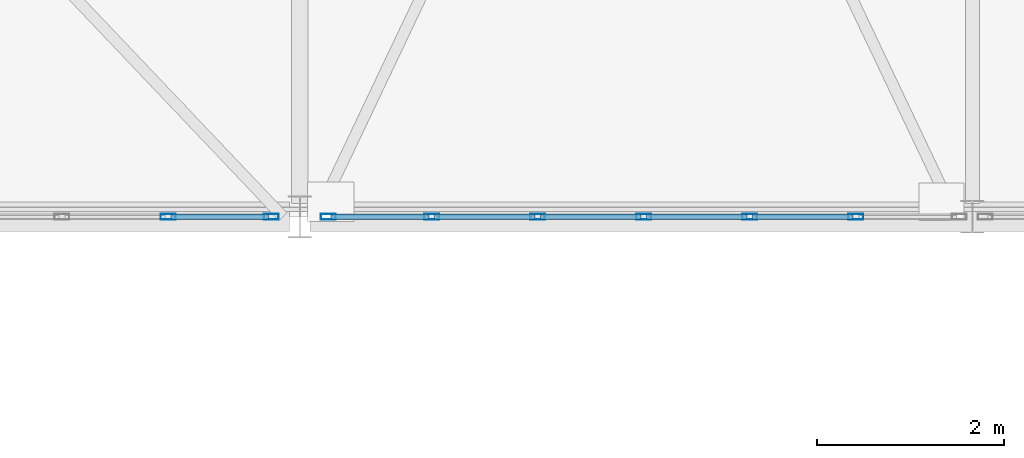
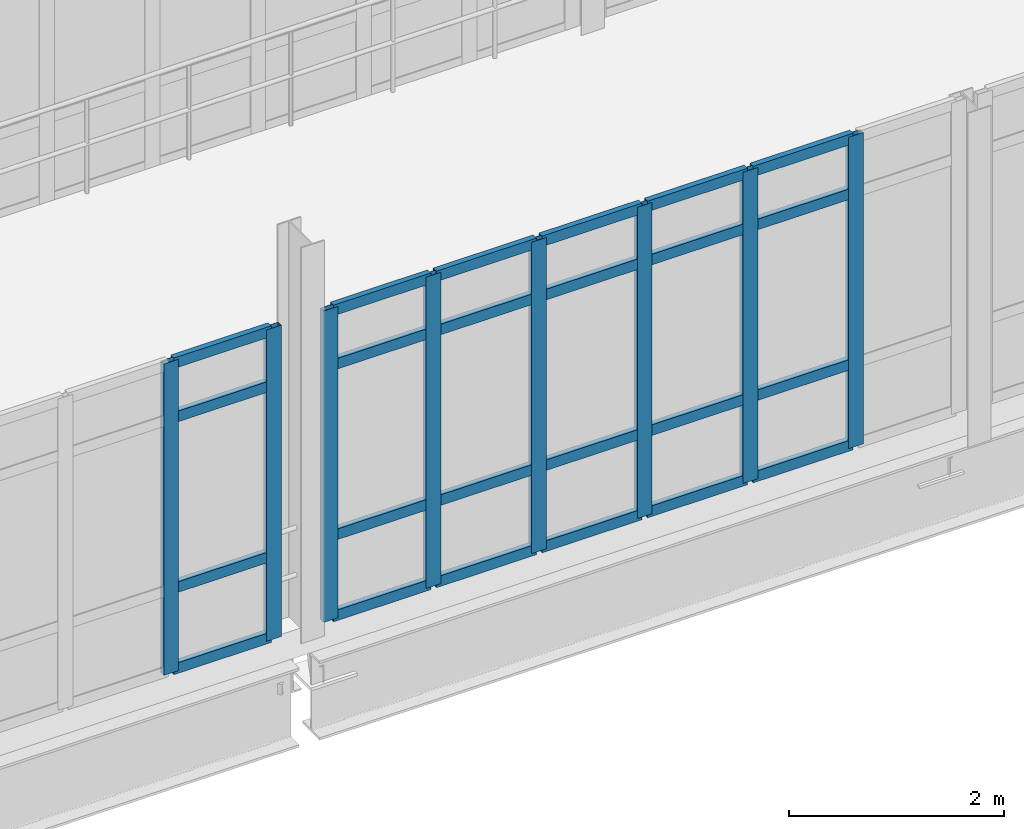
# One storey, part 41 of 124: 32 members, 2 elements without a shape of their own.
"""IFC4 building model written with IfcOpenShell, lengths in metres."""

from ifc_helpers import new_model, si_unit, direction, frame, origin, origin_2d, place, context, subcontext, project, spatial, hollow_rectangle, extrude, material, material_profile, profile_set, type_object, element, aggregate, save


model = new_model("IFC4")

# Units and contexts
model_context = context("Model", 3, precision=1e-05, world=origin(), true_north=direction((0.0, 1.0)))
body_context = subcontext(model_context, "Body", "Model", "MODEL_VIEW")
ifc_project = project(units=[si_unit("LENGTHUNIT", "METRE"), si_unit("AREAUNIT", "SQUARE_METRE"), si_unit("VOLUMEUNIT", "CUBIC_METRE"), si_unit("PLANEANGLEUNIT", "RADIAN"), si_unit("MASSUNIT", "GRAM", prefix="KILO")], contexts=[model_context])

# Site, building, storey
site_placement = place(None, origin())
site = spatial("IfcSite", under=ifc_project, at=site_placement, CompositionType="ELEMENT")
building_placement = place(site_placement, origin())
building = spatial("IfcBuilding", under=site, at=building_placement, Name="Kalluvel Institute of Natural Sciences", CompositionType="ELEMENT")
storey_placement = place(building_placement, frame((0.0, 0.0, 9.89990234375)))
storey = spatial("IfcBuildingStorey", under=building, at=storey_placement, Name="L02", CompositionType="ELEMENT", Elevation=9.89990234375)

# Curtain wall, members
ifc_material = material(Name="Aluminium AW-6063 T6", Category="aluminium")
curtain_wall_type = type_object("IfcCurtainWallType", Name="CW-BRG-45", PredefinedType="USERDEFINED", material=ifc_material)
curtain_wall_1_placement = place(storey_placement, origin())
curtain_wall_1 = element("IfcCurtainWall", 1, at=curtain_wall_1_placement, inside=storey, type_object=curtain_wall_type, Name="L02 Gothic lancet curtain wall CWA-L02-X717-Y284", ObjectType="UNITISED LANCET FACADE", PredefinedType="USERDEFINED")
ifc_material_profile_1 = material_profile(ifc_material, hollow_rectangle(XDim=0.06005859375, YDim=0.159912109375, WallThickness=0.00390625, at=origin_2d()), Name="CWM 60x160")
ifc_profile_set_1 = profile_set([ifc_material_profile_1], Name="Aluminium AW-6063 T6")
member_type_1 = type_object("IfcMemberType", Name="CWM-60x160", PredefinedType="MULLION", material=ifc_profile_set_1)
member_1_placement = place(storey_placement, frame((77.38916015625, 28.39990234375, 0.0), z_axis=(0.0, 0.0, 1.0), x_axis=(0.0, 1.0, 0.0)))
member_1 = element("IfcMember", 2, at=member_1_placement, type_object=member_type_1, Name="CW-07 mullion 6", PredefinedType="MULLION", context=body_context, shape_type="SweptSolid", body=[
    extrude(hollow_rectangle(XDim=0.06005859375, YDim=0.159912109375, WallThickness=0.00390625, at=origin_2d()), origin(), (0.0, 0.0, 1.0), 3.5400390625),
])
member_2_placement = place(storey_placement, frame((78.4951171875, 28.39990234375, 0.0), z_axis=(0.0, 0.0, 1.0), x_axis=(0.0, 1.0, 0.0)))
member_2 = element("IfcMember", 3, at=member_2_placement, type_object=member_type_1, Name="CW-07 mullion 7", PredefinedType="MULLION", context=body_context, shape_type="SweptSolid", body=[
    extrude(hollow_rectangle(XDim=0.06005859375, YDim=0.159912109375, WallThickness=0.00390625, at=origin_2d()), origin(), (0.0, 0.0, 1.0), 3.5400390625),
])

curtain_wall_2_placement = place(storey_placement, origin())
curtain_wall_2 = element("IfcCurtainWall", 4, at=curtain_wall_2_placement, inside=storey, type_object=curtain_wall_type, Name="L02 Gothic lancet curtain wall CWA-L02-X791-Y284", ObjectType="UNITISED LANCET FACADE", PredefinedType="USERDEFINED")
member_3_placement = place(storey_placement, frame((79.10498046875, 28.39990234375, 0.0), z_axis=(0.0, 0.0, 1.0), x_axis=(0.0, 1.0, 0.0)))
member_3 = element("IfcMember", 5, at=member_3_placement, type_object=member_type_1, Name="CW-07 mullion 1", PredefinedType="MULLION", context=body_context, shape_type="SweptSolid", body=[
    extrude(hollow_rectangle(XDim=0.06005859375, YDim=0.159912109375, WallThickness=0.00390625, at=origin_2d()), origin(), (0.0, 0.0, 1.0), 3.5400390625),
])
member_4_placement = place(storey_placement, frame((80.2109375, 28.39990234375, 0.0), z_axis=(0.0, 0.0, 1.0), x_axis=(0.0, 1.0, 0.0)))
member_4 = element("IfcMember", 6, at=member_4_placement, type_object=member_type_1, Name="CW-07 mullion 2", PredefinedType="MULLION", context=body_context, shape_type="SweptSolid", body=[
    extrude(hollow_rectangle(XDim=0.06005859375, YDim=0.159912109375, WallThickness=0.00390625, at=origin_2d()), origin(), (0.0, 0.0, 1.0), 3.5400390625),
])
member_5_placement = place(storey_placement, frame((81.3466796875, 28.39990234375, 0.0), z_axis=(0.0, 0.0, 1.0), x_axis=(0.0, 1.0, 0.0)))
member_5 = element("IfcMember", 7, at=member_5_placement, type_object=member_type_1, Name="CW-07 mullion 3", PredefinedType="MULLION", context=body_context, shape_type="SweptSolid", body=[
    extrude(hollow_rectangle(XDim=0.06005859375, YDim=0.159912109375, WallThickness=0.00390625, at=origin_2d()), origin(), (0.0, 0.0, 1.0), 3.5400390625),
])
member_6_placement = place(storey_placement, frame((82.482421875, 28.39990234375, 0.0), z_axis=(0.0, 0.0, 1.0), x_axis=(0.0, 1.0, 0.0)))
member_6 = element("IfcMember", 8, at=member_6_placement, type_object=member_type_1, Name="CW-07 mullion 4", PredefinedType="MULLION", context=body_context, shape_type="SweptSolid", body=[
    extrude(hollow_rectangle(XDim=0.06005859375, YDim=0.159912109375, WallThickness=0.00390625, at=origin_2d()), origin(), (0.0, 0.0, 1.0), 3.5400390625),
])
member_7_placement = place(storey_placement, frame((83.618408203125, 28.39990234375, 0.0), z_axis=(0.0, 0.0, 1.0), x_axis=(0.0, 1.0, 0.0)))
member_7 = element("IfcMember", 9, at=member_7_placement, type_object=member_type_1, Name="CW-07 mullion 5", PredefinedType="MULLION", context=body_context, shape_type="SweptSolid", body=[
    extrude(hollow_rectangle(XDim=0.06005859375, YDim=0.159912109375, WallThickness=0.00390625, at=origin_2d()), origin(), (0.0, 0.0, 1.0), 3.5400390625),
])
member_8_placement = place(storey_placement, frame((84.754150390625, 28.39990234375, 0.0), z_axis=(0.0, 0.0, 1.0), x_axis=(0.0, 1.0, 0.0)))
member_8 = element("IfcMember", 10, at=member_8_placement, type_object=member_type_1, Name="CW-07 mullion 6", PredefinedType="MULLION", context=body_context, shape_type="SweptSolid", body=[
    extrude(hollow_rectangle(XDim=0.06005859375, YDim=0.159912109375, WallThickness=0.00390625, at=origin_2d()), origin(), (0.0, 0.0, 1.0), 3.5400390625),
])

# Member
ifc_material_profile_2 = material_profile(ifc_material, hollow_rectangle(XDim=0.06005859375, YDim=0.1201171875, WallThickness=0.00390625, at=origin_2d()), Name="CWT 60x120")
ifc_profile_set_2 = profile_set([ifc_material_profile_2], Name="Aluminium AW-6063 T6")
member_type_2 = type_object("IfcMemberType", Name="CWT-60x120", PredefinedType="USERDEFINED", material=ifc_profile_set_2)
member_9_placement = place(storey_placement, frame((77.419189453125, 28.39990234375, 0.030029296875), z_axis=(1.0, 0.0, 0.0), x_axis=(0.0, 1.0, 0.0)))
member_9 = element("IfcMember", 11, at=member_9_placement, type_object=member_type_2, Name="CW-07 transom 6.1", ObjectType="TRANSOM", PredefinedType="USERDEFINED", context=body_context, shape_type="SweptSolid", body=[
    extrude(hollow_rectangle(XDim=0.06005859375, YDim=0.1201171875, WallThickness=0.00390625, at=origin_2d()), origin(), (0.0, 0.0, 1.0), 1.0458984375),
])

member_10_placement = place(storey_placement, frame((77.419189453125, 28.39990234375, 0.9501953125), z_axis=(1.0, 0.0, 0.0), x_axis=(0.0, 1.0, 0.0)))
member_10 = element("IfcMember", 12, at=member_10_placement, type_object=member_type_2, Name="CW-07 transom 6.2", ObjectType="TRANSOM", PredefinedType="USERDEFINED", context=body_context, shape_type="SweptSolid", body=[
    extrude(hollow_rectangle(XDim=0.06005859375, YDim=0.1201171875, WallThickness=0.00390625, at=origin_2d()), origin(), (0.0, 0.0, 1.0), 1.0458984375),
])

member_11_placement = place(storey_placement, frame((77.419189453125, 28.39990234375, 2.89013671875), z_axis=(1.0, 0.0, 0.0), x_axis=(0.0, 1.0, 0.0)))
member_11 = element("IfcMember", 13, at=member_11_placement, type_object=member_type_2, Name="CW-07 transom 6.3", ObjectType="TRANSOM", PredefinedType="USERDEFINED", context=body_context, shape_type="SweptSolid", body=[
    extrude(hollow_rectangle(XDim=0.06005859375, YDim=0.1201171875, WallThickness=0.00390625, at=origin_2d()), origin(), (0.0, 0.0, 1.0), 1.0458984375),
])

member_12_placement = place(storey_placement, frame((77.419189453125, 28.39990234375, 3.510009765625), z_axis=(1.0, 0.0, 0.0), x_axis=(0.0, 1.0, 0.0)))
member_12 = element("IfcMember", 14, at=member_12_placement, type_object=member_type_2, Name="CW-07 transom 6.4", ObjectType="TRANSOM", PredefinedType="USERDEFINED", context=body_context, shape_type="SweptSolid", body=[
    extrude(hollow_rectangle(XDim=0.06005859375, YDim=0.1201171875, WallThickness=0.00390625, at=origin_2d()), origin(), (0.0, 0.0, 1.0), 1.0458984375),
])

aggregate(curtain_wall_1, [member_1, member_2, member_9, member_10, member_11, member_12])

member_13_placement = place(storey_placement, frame((79.135009765625, 28.39990234375, 0.030029296875), z_axis=(1.0, 0.0, 0.0), x_axis=(0.0, 1.0, 0.0)))
member_13 = element("IfcMember", 15, at=member_13_placement, type_object=member_type_2, Name="CW-07 transom 1.1", ObjectType="TRANSOM", PredefinedType="USERDEFINED", context=body_context, shape_type="SweptSolid", body=[
    extrude(hollow_rectangle(XDim=0.06005859375, YDim=0.1201171875, WallThickness=0.00390625, at=origin_2d()), origin(), (0.0, 0.0, 1.0), 1.0458984375),
])

member_14_placement = place(storey_placement, frame((79.135009765625, 28.39990234375, 0.9501953125), z_axis=(1.0, 0.0, 0.0), x_axis=(0.0, 1.0, 0.0)))
member_14 = element("IfcMember", 16, at=member_14_placement, type_object=member_type_2, Name="CW-07 transom 1.2", ObjectType="TRANSOM", PredefinedType="USERDEFINED", context=body_context, shape_type="SweptSolid", body=[
    extrude(hollow_rectangle(XDim=0.06005859375, YDim=0.1201171875, WallThickness=0.00390625, at=origin_2d()), origin(), (0.0, 0.0, 1.0), 1.0458984375),
])

member_15_placement = place(storey_placement, frame((79.135009765625, 28.39990234375, 2.89013671875), z_axis=(1.0, 0.0, 0.0), x_axis=(0.0, 1.0, 0.0)))
member_15 = element("IfcMember", 17, at=member_15_placement, type_object=member_type_2, Name="CW-07 transom 1.3", ObjectType="TRANSOM", PredefinedType="USERDEFINED", context=body_context, shape_type="SweptSolid", body=[
    extrude(hollow_rectangle(XDim=0.06005859375, YDim=0.1201171875, WallThickness=0.00390625, at=origin_2d()), origin(), (0.0, 0.0, 1.0), 1.0458984375),
])

member_16_placement = place(storey_placement, frame((79.135009765625, 28.39990234375, 3.510009765625), z_axis=(1.0, 0.0, 0.0), x_axis=(0.0, 1.0, 0.0)))
member_16 = element("IfcMember", 18, at=member_16_placement, type_object=member_type_2, Name="CW-07 transom 1.4", ObjectType="TRANSOM", PredefinedType="USERDEFINED", context=body_context, shape_type="SweptSolid", body=[
    extrude(hollow_rectangle(XDim=0.06005859375, YDim=0.1201171875, WallThickness=0.00390625, at=origin_2d()), origin(), (0.0, 0.0, 1.0), 1.0458984375),
])

member_17_placement = place(storey_placement, frame((80.24072265625, 28.39990234375, 0.030029296875), z_axis=(1.0, 0.0, 0.0), x_axis=(0.0, 1.0, 0.0)))
member_17 = element("IfcMember", 19, at=member_17_placement, type_object=member_type_2, Name="CW-07 transom 2.1", ObjectType="TRANSOM", PredefinedType="USERDEFINED", context=body_context, shape_type="SweptSolid", body=[
    extrude(hollow_rectangle(XDim=0.06005859375, YDim=0.1201171875, WallThickness=0.00390625, at=origin_2d()), origin(), (0.0, 0.0, 1.0), 1.075927734375),
])

member_18_placement = place(storey_placement, frame((80.24072265625, 28.39990234375, 0.9501953125), z_axis=(1.0, 0.0, 0.0), x_axis=(0.0, 1.0, 0.0)))
member_18 = element("IfcMember", 20, at=member_18_placement, type_object=member_type_2, Name="CW-07 transom 2.2", ObjectType="TRANSOM", PredefinedType="USERDEFINED", context=body_context, shape_type="SweptSolid", body=[
    extrude(hollow_rectangle(XDim=0.06005859375, YDim=0.1201171875, WallThickness=0.00390625, at=origin_2d()), origin(), (0.0, 0.0, 1.0), 1.075927734375),
])

member_19_placement = place(storey_placement, frame((80.24072265625, 28.39990234375, 2.89013671875), z_axis=(1.0, 0.0, 0.0), x_axis=(0.0, 1.0, 0.0)))
member_19 = element("IfcMember", 21, at=member_19_placement, type_object=member_type_2, Name="CW-07 transom 2.3", ObjectType="TRANSOM", PredefinedType="USERDEFINED", context=body_context, shape_type="SweptSolid", body=[
    extrude(hollow_rectangle(XDim=0.06005859375, YDim=0.1201171875, WallThickness=0.00390625, at=origin_2d()), origin(), (0.0, 0.0, 1.0), 1.075927734375),
])

member_20_placement = place(storey_placement, frame((80.24072265625, 28.39990234375, 3.510009765625), z_axis=(1.0, 0.0, 0.0), x_axis=(0.0, 1.0, 0.0)))
member_20 = element("IfcMember", 22, at=member_20_placement, type_object=member_type_2, Name="CW-07 transom 2.4", ObjectType="TRANSOM", PredefinedType="USERDEFINED", context=body_context, shape_type="SweptSolid", body=[
    extrude(hollow_rectangle(XDim=0.06005859375, YDim=0.1201171875, WallThickness=0.00390625, at=origin_2d()), origin(), (0.0, 0.0, 1.0), 1.075927734375),
])

member_21_placement = place(storey_placement, frame((81.376708984375, 28.39990234375, 0.030029296875), z_axis=(1.0, 0.0, 0.0), x_axis=(0.0, 1.0, 0.0)))
member_21 = element("IfcMember", 23, at=member_21_placement, type_object=member_type_2, Name="CW-07 transom 3.1", ObjectType="TRANSOM", PredefinedType="USERDEFINED", context=body_context, shape_type="SweptSolid", body=[
    extrude(hollow_rectangle(XDim=0.06005859375, YDim=0.1201171875, WallThickness=0.00390625, at=origin_2d()), origin(), (0.0, 0.0, 1.0), 1.07568359375),
])

member_22_placement = place(storey_placement, frame((81.376708984375, 28.39990234375, 0.9501953125), z_axis=(1.0, 0.0, 0.0), x_axis=(0.0, 1.0, 0.0)))
member_22 = element("IfcMember", 24, at=member_22_placement, type_object=member_type_2, Name="CW-07 transom 3.2", ObjectType="TRANSOM", PredefinedType="USERDEFINED", context=body_context, shape_type="SweptSolid", body=[
    extrude(hollow_rectangle(XDim=0.06005859375, YDim=0.1201171875, WallThickness=0.00390625, at=origin_2d()), origin(), (0.0, 0.0, 1.0), 1.07568359375),
])

member_23_placement = place(storey_placement, frame((81.376708984375, 28.39990234375, 2.89013671875), z_axis=(1.0, 0.0, 0.0), x_axis=(0.0, 1.0, 0.0)))
member_23 = element("IfcMember", 25, at=member_23_placement, type_object=member_type_2, Name="CW-07 transom 3.3", ObjectType="TRANSOM", PredefinedType="USERDEFINED", context=body_context, shape_type="SweptSolid", body=[
    extrude(hollow_rectangle(XDim=0.06005859375, YDim=0.1201171875, WallThickness=0.00390625, at=origin_2d()), origin(), (0.0, 0.0, 1.0), 1.07568359375),
])

member_24_placement = place(storey_placement, frame((81.376708984375, 28.39990234375, 3.510009765625), z_axis=(1.0, 0.0, 0.0), x_axis=(0.0, 1.0, 0.0)))
member_24 = element("IfcMember", 26, at=member_24_placement, type_object=member_type_2, Name="CW-07 transom 3.4", ObjectType="TRANSOM", PredefinedType="USERDEFINED", context=body_context, shape_type="SweptSolid", body=[
    extrude(hollow_rectangle(XDim=0.06005859375, YDim=0.1201171875, WallThickness=0.00390625, at=origin_2d()), origin(), (0.0, 0.0, 1.0), 1.07568359375),
])

member_25_placement = place(storey_placement, frame((82.512451171875, 28.39990234375, 0.030029296875), z_axis=(1.0, 0.0, 0.0), x_axis=(0.0, 1.0, 0.0)))
member_25 = element("IfcMember", 27, at=member_25_placement, type_object=member_type_2, Name="CW-07 transom 4.1", ObjectType="TRANSOM", PredefinedType="USERDEFINED", context=body_context, shape_type="SweptSolid", body=[
    extrude(hollow_rectangle(XDim=0.06005859375, YDim=0.1201171875, WallThickness=0.00390625, at=origin_2d()), origin(), (0.0, 0.0, 1.0), 1.075927734375),
])

member_26_placement = place(storey_placement, frame((82.512451171875, 28.39990234375, 0.9501953125), z_axis=(1.0, 0.0, 0.0), x_axis=(0.0, 1.0, 0.0)))
member_26 = element("IfcMember", 28, at=member_26_placement, type_object=member_type_2, Name="CW-07 transom 4.2", ObjectType="TRANSOM", PredefinedType="USERDEFINED", context=body_context, shape_type="SweptSolid", body=[
    extrude(hollow_rectangle(XDim=0.06005859375, YDim=0.1201171875, WallThickness=0.00390625, at=origin_2d()), origin(), (0.0, 0.0, 1.0), 1.075927734375),
])

member_27_placement = place(storey_placement, frame((82.512451171875, 28.39990234375, 2.89013671875), z_axis=(1.0, 0.0, 0.0), x_axis=(0.0, 1.0, 0.0)))
member_27 = element("IfcMember", 29, at=member_27_placement, type_object=member_type_2, Name="CW-07 transom 4.3", ObjectType="TRANSOM", PredefinedType="USERDEFINED", context=body_context, shape_type="SweptSolid", body=[
    extrude(hollow_rectangle(XDim=0.06005859375, YDim=0.1201171875, WallThickness=0.00390625, at=origin_2d()), origin(), (0.0, 0.0, 1.0), 1.075927734375),
])

member_28_placement = place(storey_placement, frame((82.512451171875, 28.39990234375, 3.510009765625), z_axis=(1.0, 0.0, 0.0), x_axis=(0.0, 1.0, 0.0)))
member_28 = element("IfcMember", 30, at=member_28_placement, type_object=member_type_2, Name="CW-07 transom 4.4", ObjectType="TRANSOM", PredefinedType="USERDEFINED", context=body_context, shape_type="SweptSolid", body=[
    extrude(hollow_rectangle(XDim=0.06005859375, YDim=0.1201171875, WallThickness=0.00390625, at=origin_2d()), origin(), (0.0, 0.0, 1.0), 1.075927734375),
])

member_29_placement = place(storey_placement, frame((83.6484375, 28.39990234375, 0.030029296875), z_axis=(1.0, 0.0, 0.0), x_axis=(0.0, 1.0, 0.0)))
member_29 = element("IfcMember", 31, at=member_29_placement, type_object=member_type_2, Name="CW-07 transom 5.1", ObjectType="TRANSOM", PredefinedType="USERDEFINED", context=body_context, shape_type="SweptSolid", body=[
    extrude(hollow_rectangle(XDim=0.06005859375, YDim=0.1201171875, WallThickness=0.00390625, at=origin_2d()), origin(), (0.0, 0.0, 1.0), 1.07568359375),
])

member_30_placement = place(storey_placement, frame((83.6484375, 28.39990234375, 0.9501953125), z_axis=(1.0, 0.0, 0.0), x_axis=(0.0, 1.0, 0.0)))
member_30 = element("IfcMember", 32, at=member_30_placement, type_object=member_type_2, Name="CW-07 transom 5.2", ObjectType="TRANSOM", PredefinedType="USERDEFINED", context=body_context, shape_type="SweptSolid", body=[
    extrude(hollow_rectangle(XDim=0.06005859375, YDim=0.1201171875, WallThickness=0.00390625, at=origin_2d()), origin(), (0.0, 0.0, 1.0), 1.07568359375),
])

member_31_placement = place(storey_placement, frame((83.6484375, 28.39990234375, 2.89013671875), z_axis=(1.0, 0.0, 0.0), x_axis=(0.0, 1.0, 0.0)))
member_31 = element("IfcMember", 33, at=member_31_placement, type_object=member_type_2, Name="CW-07 transom 5.3", ObjectType="TRANSOM", PredefinedType="USERDEFINED", context=body_context, shape_type="SweptSolid", body=[
    extrude(hollow_rectangle(XDim=0.06005859375, YDim=0.1201171875, WallThickness=0.00390625, at=origin_2d()), origin(), (0.0, 0.0, 1.0), 1.07568359375),
])

member_32_placement = place(storey_placement, frame((83.6484375, 28.39990234375, 3.510009765625), z_axis=(1.0, 0.0, 0.0), x_axis=(0.0, 1.0, 0.0)))
member_32 = element("IfcMember", 34, at=member_32_placement, type_object=member_type_2, Name="CW-07 transom 5.4", ObjectType="TRANSOM", PredefinedType="USERDEFINED", context=body_context, shape_type="SweptSolid", body=[
    extrude(hollow_rectangle(XDim=0.06005859375, YDim=0.1201171875, WallThickness=0.00390625, at=origin_2d()), origin(), (0.0, 0.0, 1.0), 1.07568359375),
])

aggregate(curtain_wall_2, [member_3, member_4, member_5, member_6, member_7, member_8, member_13, member_14, member_15, member_16, member_17, member_18, member_19, member_20, member_21, member_22, member_23, member_24, member_25, member_26, member_27, member_28, member_29, member_30, member_31, member_32])

save(model, "model.ifc")
